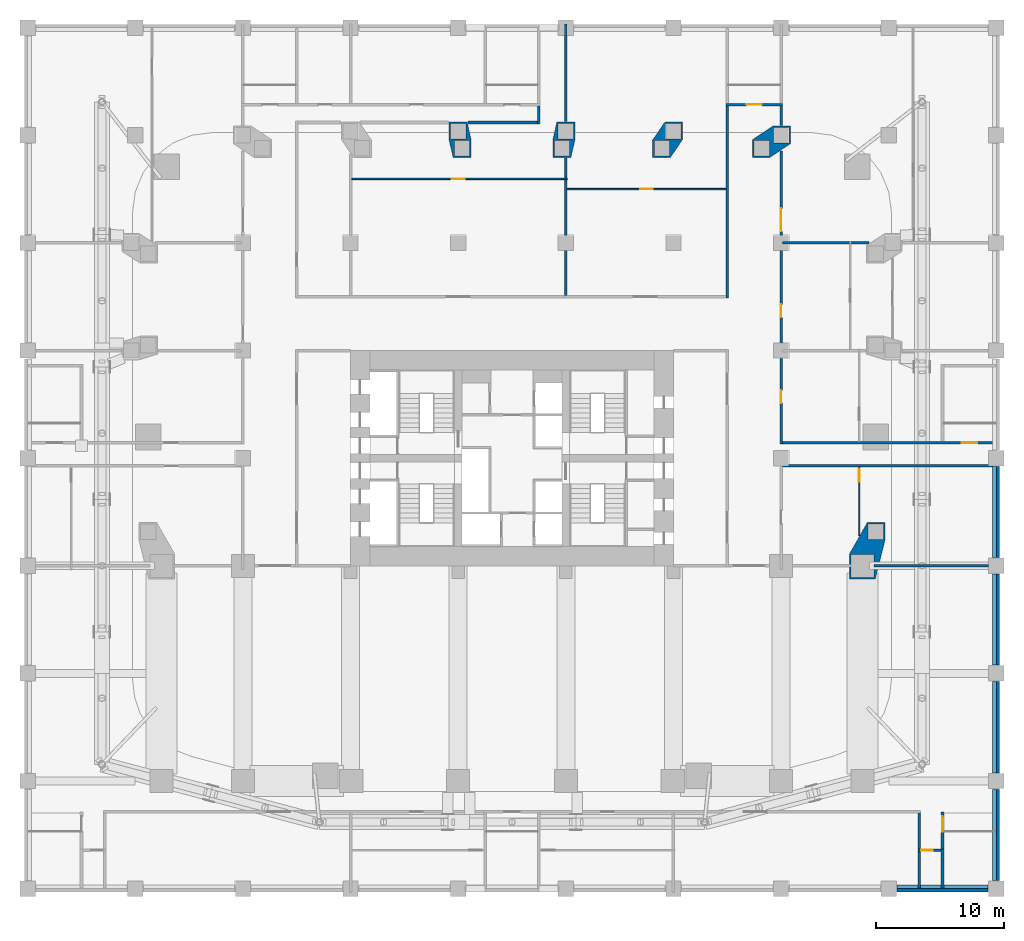
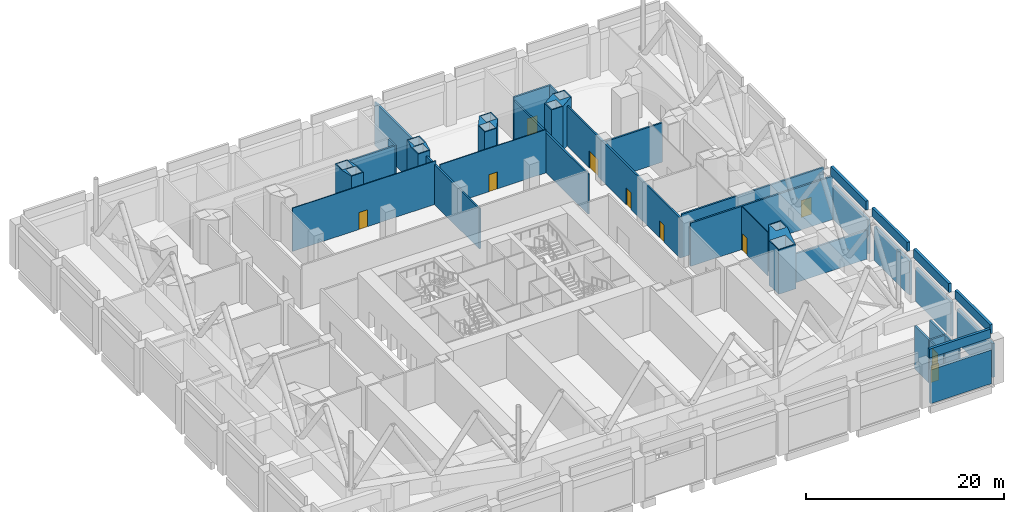
# One storey, part 11 of 17: 35 walls, 10 doors, 10 openings.
"""IFC4 building model written with IfcOpenShell, lengths in metres."""

from ifc_helpers import new_model, si_unit, direction, frame, frame_2d, origin, place, context, subcontext, project, spatial, polyline, rectangle, outline, extrude, material, layer, layer_set, type_object, element, fill, save


model = new_model("IFC4")

# Units and contexts
model_context = context("Model", 3, precision=1e-05, world=origin(), true_north=direction((0.0, 1.0)))
body_context = subcontext(model_context, "Body", "Model", "MODEL_VIEW")
ifc_project = project(units=[si_unit("LENGTHUNIT", "METRE"), si_unit("AREAUNIT", "SQUARE_METRE"), si_unit("VOLUMEUNIT", "CUBIC_METRE"), si_unit("PLANEANGLEUNIT", "RADIAN"), si_unit("MASSUNIT", "GRAM", prefix="KILO")], contexts=[model_context])

# Site, building, storey
site_placement = place(None, origin())
site = spatial("IfcSite", under=ifc_project, at=site_placement, CompositionType="ELEMENT")
building_placement = place(site_placement, origin())
building = spatial("IfcBuilding", under=site, at=building_placement, Name="Marenta Gate Hotel Tower", CompositionType="ELEMENT")
storey_placement = place(building_placement, frame((0.0, 0.0, 31.0)))
storey = spatial("IfcBuildingStorey", under=building, at=storey_placement, Name="L05", CompositionType="ELEMENT", Elevation=31.0)

# Walls
ifc_material_1 = material(Name="Concrete C40 board-marked", Category="concrete")
ifc_layer_1 = layer(ifc_material_1, 0.300048828125)
ifc_layer_set_1 = layer_set([ifc_layer_1], Name="Concrete C40 board-marked")
wall_type_1 = type_object("IfcWallType", Name="Board-marked concrete wall 300 mm", PredefinedType="NOTDEFINED", material=ifc_layer_set_1)
wall_1_placement = place(storey_placement, frame((30.0400390625, -25.2900390625, 0.0), z_axis=(0.0, 0.0, 1.0), x_axis=(1.0, 0.0, 0.0)))
element("IfcWall", 1, at=wall_1_placement, inside=storey, type_object=wall_type_1, Name="L05-CLD-P-S008", PredefinedType="NOTDEFINED", context=body_context, shape_type="SweptSolid", body=[
    extrude(rectangle(XDim=7.119873046875, YDim=0.300048828125, at=frame_2d((3.56005859375, 0.0))), origin(), (0.0, 0.0, 1.0), 4.179931640625),
])
wall_2_placement = place(storey_placement, frame((37.889892578125, -24.56005859375, 0.0), z_axis=(0.0, 0.0, 1.0), x_axis=(0.0, 1.0, 0.0)))
element("IfcWall", 2, at=wall_2_placement, inside=storey, type_object=wall_type_1, Name="L05-CLD-P-E000", PredefinedType="NOTDEFINED", context=body_context, shape_type="SweptSolid", body=[
    extrude(rectangle(XDim=7.1201171875, YDim=0.300048828125, at=frame_2d((3.56005859375, 0.0))), origin(), (0.0, 0.0, 1.0), 4.179931640625),
])
wall_3_placement = place(storey_placement, frame((37.889892578125, -16.159912109375, 0.0), z_axis=(0.0, 0.0, 1.0), x_axis=(0.0, 1.0, 0.0)))
element("IfcWall", 3, at=wall_3_placement, inside=storey, type_object=wall_type_1, Name="L05-CLD-P-E001", PredefinedType="NOTDEFINED", context=body_context, shape_type="SweptSolid", body=[
    extrude(rectangle(XDim=7.119873046875, YDim=0.300048828125, at=frame_2d((3.56005859375, 0.0))), origin(), (0.0, 0.0, 1.0), 4.179931640625),
])
for number, where, z_axis, x_axis, name in (
    (4, (37.889892578125, -7.760009765625, 0.0), (0.0, 0.0, 1.0), (0.0, 1.0, 0.0), "L05-CLD-P-E002"),
    (5, (37.889892578125, 0.639892578125, 0.0), (0.0, 0.0, 1.0), (0.0, 1.0, 0.0), "L05-CLD-P-E003"),
):
    element("IfcWall", number, at=place(storey_placement, frame(where, z_axis=z_axis, x_axis=x_axis)), inside=storey, type_object=wall_type_1, Name=name, PredefinedType="NOTDEFINED", context=body_context, shape_type="SweptSolid", body=[
        extrude(rectangle(XDim=7.1201171875, YDim=0.300048828125, at=frame_2d((3.56005859375, 0.0))), origin(), (0.0, 0.0, 1.0), 4.179931640625),
    ])
ifc_material_2 = material(Name="Concrete blockwork", Category="masonry")
ifc_layer_2 = layer(ifc_material_2, 0.199951171875)
ifc_layer_set_2 = layer_set([ifc_layer_2], Name="Concrete blockwork")
wall_type_2 = type_object("IfcWallType", Name="Compartment wall 200 REI 180", PredefinedType="PARTITIONING", material=ifc_layer_set_2)
wall_4_placement = place(storey_placement, frame((28.263916015625, 0.0, 0.0), z_axis=(0.0, 0.0, 1.0), x_axis=(1.0, 0.0, 0.0)))
element("IfcWall", 6, at=wall_4_placement, inside=storey, type_object=wall_type_2, Name="L05-CMP-W06", PredefinedType="PARTITIONING", context=body_context, shape_type="SweptSolid", body=[
    extrude(rectangle(XDim=8.93505859375, YDim=0.199951171875, at=frame_2d((4.467529296875, 0.0))), origin(), (0.0, 0.0, 1.0), 3.580078125),
])
ifc_material_3 = material(Name="Concrete C40 board-marked", Category="concrete")
ifc_layer_3 = layer(ifc_material_3, 0.300048828125)
ifc_layer_set_3 = layer_set([ifc_layer_3], Name="Concrete C40 board-marked")
wall_type_3 = type_object("IfcWallType", Name="Parapet 300 mm board-marked concrete", PredefinedType="PARAPET", material=ifc_layer_set_3)
for number, where, z_axis, x_axis, name in (
    (7, (37.64990234375, 7.760009765625, 5.5), (0.0, 0.0, 1.0), (0.0, -1.0, 0.0), "L05-PAR-00024"),
    (8, (37.64990234375, -0.639892578125, 5.5), (0.0, 0.0, 1.0), (0.0, -1.0, 0.0), "L05-PAR-00025"),
):
    element("IfcWall", number, at=place(storey_placement, frame(where, z_axis=z_axis, x_axis=x_axis)), inside=storey, type_object=wall_type_3, Name=name, PredefinedType="PARAPET", context=body_context, shape_type="SweptSolid", body=[
        extrude(rectangle(XDim=7.1201171875, YDim=0.300048828125, at=frame_2d((3.56005859375, 0.0))), origin(), (0.0, 0.0, 1.0), 1.10009765625),
    ])
wall_5_placement = place(storey_placement, frame((37.64990234375, -9.0400390625, 5.5), z_axis=(0.0, 0.0, 1.0), x_axis=(0.0, -1.0, 0.0)))
element("IfcWall", 9, at=wall_5_placement, inside=storey, type_object=wall_type_3, Name="L05-PAR-00026", PredefinedType="PARAPET", context=body_context, shape_type="SweptSolid", body=[
    extrude(rectangle(XDim=7.119873046875, YDim=0.300048828125, at=frame_2d((3.56005859375, 0.0))), origin(), (0.0, 0.0, 1.0), 1.10009765625),
])
wall_6_placement = place(storey_placement, frame((37.64990234375, -17.43994140625, 5.5), z_axis=(0.0, 0.0, 1.0), x_axis=(0.0, -1.0, 0.0)))
element("IfcWall", 10, at=wall_6_placement, inside=storey, type_object=wall_type_3, Name="L05-PAR-00027", PredefinedType="PARAPET", context=body_context, shape_type="SweptSolid", body=[
    extrude(rectangle(XDim=7.1201171875, YDim=0.300048828125, at=frame_2d((3.56005859375, 0.0))), origin(), (0.0, 0.0, 1.0), 1.10009765625),
])
wall_7_placement = place(storey_placement, frame((37.159912109375, -25.050048828125, 5.5), z_axis=(0.0, 0.0, 1.0), x_axis=(-1.0, 0.0, 0.0)))
element("IfcWall", 11, at=wall_7_placement, inside=storey, type_object=wall_type_3, Name="L05-PAR-00030", PredefinedType="PARAPET", context=body_context, shape_type="SweptSolid", body=[
    extrude(rectangle(XDim=7.119873046875, YDim=0.300048828125, at=frame_2d((3.56005859375, 0.0))), origin(), (0.0, 0.0, 1.0), 1.10009765625),
])
ifc_material_4 = material(Name="Concrete C70", Category="concrete")
ifc_layer_4 = layer(ifc_material_4, 1.60009765625)
ifc_layer_set_4 = layer_set([ifc_layer_4], Name="Concrete C70")
wall_type_4 = type_object("IfcWallType", Name="Pier wall board-marked concrete C70", PredefinedType="SOLIDWALL", material=ifc_layer_set_4)
wall_8_placement = place(storey_placement, origin())
element("IfcWall", 12, at=wall_8_placement, inside=storey, type_object=wall_type_4, Name="L05-PIER-6", PredefinedType="SOLIDWALL", context=body_context, shape_type="SweptSolid", body=[
    extrude(outline(polyline([(-4.919921875, 34.639892578125), (-3.504150390625, 34.639892578125), (-3.181396484375, 33.21337890625), (-3.181396484375, 31.8798828125), (-4.59716796875, 31.8798828125), (-4.919921875, 33.306640625), (-4.919921875, 34.639892578125)]), holes=[polyline([(-3.301513671875, 32.0), (-3.301513671875, 33.199951171875), (-4.50146484375, 33.199951171875), (-4.50146484375, 32.0), (-3.301513671875, 32.0)]), polyline([(-3.60009765625, 33.320068359375), (-3.60009765625, 34.52001953125), (-4.800048828125, 34.52001953125), (-4.800048828125, 33.320068359375), (-3.60009765625, 33.320068359375)])]), origin(), (0.0, 0.0, 1.0), 5.5),
])
wall_9_placement = place(storey_placement, origin())
element("IfcWall", 13, at=wall_9_placement, inside=storey, type_object=wall_type_4, Name="L05-PIER-7", PredefinedType="SOLIDWALL", context=body_context, shape_type="SweptSolid", body=[
    extrude(outline(polyline([(3.181396484375, 33.21337890625), (3.504150390625, 34.639892578125), (4.919921875, 34.639892578125), (4.919921875, 33.306640625), (4.59716796875, 31.8798828125), (3.181396484375, 31.8798828125), (3.181396484375, 33.21337890625)]), holes=[polyline([(3.60009765625, 33.320068359375), (4.800048828125, 33.320068359375), (4.800048828125, 34.52001953125), (3.60009765625, 34.52001953125), (3.60009765625, 33.320068359375)]), polyline([(3.301513671875, 32.0), (4.50146484375, 32.0), (4.50146484375, 33.199951171875), (3.301513671875, 33.199951171875), (3.301513671875, 32.0)])]), origin(), (0.0, 0.0, 1.0), 5.5),
])
wall_10_placement = place(storey_placement, origin())
element("IfcWall", 14, at=wall_10_placement, inside=storey, type_object=wall_type_4, Name="L05-PIER-8", PredefinedType="SOLIDWALL", context=body_context, shape_type="SweptSolid", body=[
    extrude(outline(polyline([(11.9365234375, 34.639892578125), (13.320068359375, 34.639892578125), (13.320068359375, 33.283203125), (12.36767578125, 31.8798828125), (10.984130859375, 31.8798828125), (10.984130859375, 33.23681640625), (11.9365234375, 34.639892578125)]), holes=[polyline([(13.199951171875, 33.320068359375), (13.199951171875, 34.52001953125), (12.0, 34.52001953125), (12.0, 33.320068359375), (13.199951171875, 33.320068359375)]), polyline([(12.30419921875, 32.0), (12.30419921875, 33.199951171875), (11.10400390625, 33.199951171875), (11.10400390625, 32.0), (12.30419921875, 32.0)])]), origin(), (0.0, 0.0, 1.0), 5.5),
])
wall_11_placement = place(storey_placement, origin())
element("IfcWall", 15, at=wall_11_placement, inside=storey, type_object=wall_type_4, Name="L05-PIER-9", PredefinedType="SOLIDWALL", context=body_context, shape_type="SweptSolid", body=[
    extrude(outline(polyline([(20.363525390625, 34.320068359375), (21.719970703125, 34.320068359375), (21.719970703125, 32.93603515625), (20.143310546875, 31.8798828125), (18.786865234375, 31.8798828125), (18.786865234375, 33.26416015625), (20.363525390625, 34.320068359375)]), holes=[polyline([(21.60009765625, 33.0), (21.60009765625, 34.199951171875), (20.39990234375, 34.199951171875), (20.39990234375, 33.0), (21.60009765625, 33.0)]), polyline([(20.10693359375, 32.0), (20.10693359375, 33.199951171875), (18.906982421875, 33.199951171875), (18.906982421875, 32.0), (20.10693359375, 32.0)])]), origin(), (0.0, 0.0, 1.0), 5.5),
])
wall_12_placement = place(storey_placement, origin())
element("IfcWall", 16, at=wall_12_placement, inside=storey, type_object=wall_type_4, Name="L05-PIER-12", PredefinedType="SOLIDWALL", context=body_context, shape_type="SweptSolid", body=[
    extrude(outline(polyline([(26.343017578125, 0.931640625), (27.730224609375, 3.369140625), (29.1201171875, 3.369140625), (29.1201171875, 2.034423828125), (28.356689453125, -1.02001953125), (26.343017578125, -1.02001953125), (26.343017578125, 0.931640625)]), holes=[polyline([(27.800048828125, 2.049072265625), (29.0, 2.049072265625), (29.0, 3.2490234375), (27.800048828125, 3.2490234375), (27.800048828125, 2.049072265625)]), polyline([(26.462890625, -0.89990234375), (28.262939453125, -0.89990234375), (28.262939453125, 0.89990234375), (26.462890625, 0.89990234375), (26.462890625, -0.89990234375)])]), origin(), (0.0, 0.0, 1.0), 5.5),
])

# Wall, openings, doors
ifc_material_5 = material(Name="Concrete blockwork", Category="masonry")
ifc_layer_5 = layer(ifc_material_5, 0.199951171875)
ifc_layer_set_5 = layer_set([ifc_layer_5], Name="Concrete blockwork")
wall_type_5 = type_object("IfcWallType", Name="Room corridor wall 200 EI 120", PredefinedType="PARTITIONING", material=ifc_layer_set_5)
wall_13_placement = place(storey_placement, frame((21.0, 9.5, 0.0), z_axis=(0.0, 0.0, 1.0), x_axis=(0.0, 1.0, 0.0)))
wall_13 = element("IfcWall", 17, at=wall_13_placement, inside=storey, type_object=wall_type_5, Name="L05-PTN-W016", PredefinedType="PARTITIONING", context=body_context, shape_type="SweptSolid", body=[
    extrude(rectangle(XDim=22.89404296875, YDim=0.199951171875, at=frame_2d((11.447021484375, 0.0))), origin(), (0.0, 0.0, 1.0), 4.949951171875),
])
opening_1_placement = place(wall_13_placement, frame((3.199951171875, 0.0, 0.0)))
opening_1 = element("IfcOpeningElement", 18, at=opening_1_placement, cuts=wall_13, Name="Opening S06-10", PredefinedType="OPENING", context=body_context, shape_type="SweptSolid", body=[
    extrude(rectangle(XDim=1.0, YDim=2.10009765625, at=frame_2d((0.5, 1.050048828125))), frame((0.0, 0.10009765625, 0.0), z_axis=(0.0, -1.0, 0.0), x_axis=(1.0, 0.0, 0.0)), (0.0, 0.0, 1.0), 0.199951171875),
])
opening_2_placement = place(wall_13_placement, frame((9.89990234375, 0.0, 0.0)))
opening_2 = element("IfcOpeningElement", 19, at=opening_2_placement, cuts=wall_13, Name="Opening S06-13", PredefinedType="OPENING", context=body_context, shape_type="SweptSolid", body=[
    extrude(rectangle(XDim=1.0, YDim=2.10009765625, at=frame_2d((0.5, 1.050048828125))), frame((0.0, 0.10009765625, 0.0), z_axis=(0.0, -1.0, 0.0), x_axis=(1.0, 0.0, 0.0)), (0.0, 0.0, 1.0), 0.199951171875),
])
opening_3_placement = place(wall_13_placement, frame((16.596923828125, 0.0, 0.0)))
opening_3 = element("IfcOpeningElement", 20, at=opening_3_placement, cuts=wall_13, Name="Opening S06-16", PredefinedType="OPENING", context=body_context, shape_type="SweptSolid", body=[
    extrude(rectangle(XDim=1.800048828125, YDim=2.10009765625, at=frame_2d((0.89990234375, 1.050048828125))), frame((0.0, 0.10009765625, 0.0), z_axis=(0.0, -1.0, 0.0), x_axis=(1.0, 0.0, 0.0)), (0.0, 0.0, 1.0), 0.199951171875),
])
ifc_material_6 = material(Name="Hollow steel door set", Category="steel")
door_type_1 = type_object("IfcDoorType", Name="Plant room door 1800x2100 EI 60", OperationType="DOUBLE_DOOR_SINGLE_SWING", PredefinedType="DOOR", material=ifc_material_6)
door_1_placement = place(opening_3_placement, origin())
door_1 = element("IfcDoor", 21, at=door_1_placement, inside=storey, type_object=door_type_1, Name="L05-PD-D016", OperationType="DOUBLE_DOOR_SINGLE_SWING", OverallHeight=2.10009765625, OverallWidth=1.800048828125, PredefinedType="DOOR", context=body_context, shape_type="SweptSolid", body=[
    extrude(rectangle(XDim=1.800048828125, YDim=2.10009765625, at=frame_2d((0.89990234375, 1.050048828125))), frame((0.0, 0.02490234375, 0.0), z_axis=(0.0, -1.0, 0.0), x_axis=(1.0, 0.0, 0.0)), (0.0, 0.0, 1.0), 0.050048828125),
])
fill(opening_3, door_1)
ifc_material_7 = material(Name="Hollow steel door set", Category="steel")
door_type_2 = type_object("IfcDoorType", Name="Room service door 1000x2100 EI 60", OperationType="NOTDEFINED", PredefinedType="DOOR", material=ifc_material_7)
door_2_placement = place(opening_1_placement, origin())
door_2 = element("IfcDoor", 22, at=door_2_placement, inside=storey, type_object=door_type_2, Name="L05-PD-D010", OperationType="SINGLE_SWING_LEFT", OverallHeight=2.10009765625, OverallWidth=1.0, PredefinedType="DOOR", context=body_context, shape_type="SweptSolid", body=[
    extrude(rectangle(XDim=1.0, YDim=2.10009765625, at=frame_2d((0.5, 1.050048828125))), frame((0.0, 0.02490234375, 0.0), z_axis=(0.0, -1.0, 0.0), x_axis=(1.0, 0.0, 0.0)), (0.0, 0.0, 1.0), 0.050048828125),
])
fill(opening_1, door_2)
ifc_material_8 = material(Name="Timber door leaf", Category="wood")
door_type_3 = type_object("IfcDoorType", Name="Toilet room door 1000x2100 EI 60", OperationType="NOTDEFINED", PredefinedType="DOOR", material=ifc_material_8)
door_3_placement = place(opening_2_placement, origin())
door_3 = element("IfcDoor", 23, at=door_3_placement, inside=storey, type_object=door_type_3, Name="L05-PD-D013", OperationType="SINGLE_SWING_RIGHT", OverallHeight=2.10009765625, OverallWidth=1.0, PredefinedType="DOOR", context=body_context, shape_type="SweptSolid", body=[
    extrude(rectangle(XDim=1.0, YDim=2.10009765625, at=frame_2d((0.5, 1.050048828125))), frame((0.0, 0.02490234375, 0.0), z_axis=(0.0, -1.0, 0.0), x_axis=(1.0, 0.0, 0.0)), (0.0, 0.0, 1.0), 0.050048828125),
])
fill(opening_2, door_3)

# Wall
ifc_material_9 = material(Name="Gypsum board on steel stud", Category="steel")
ifc_layer_6 = layer(ifc_material_9, 0.199951171875)
ifc_layer_set_6 = layer_set([ifc_layer_6], Name="Gypsum board on steel stud")
wall_type_6 = type_object("IfcWallType", Name="Room corridor wall 200 EI 60", PredefinedType="PARTITIONING", material=ifc_layer_set_6)
wall_14_placement = place(storey_placement, frame((21.0, 34.3701171875, 0.0), z_axis=(0.0, 0.0, 1.0), x_axis=(0.0, 1.0, 0.0)))
element("IfcWall", 24, at=wall_14_placement, inside=storey, type_object=wall_type_6, Name="L05-PTN-W017", PredefinedType="PARTITIONING", context=body_context, shape_type="SweptSolid", body=[
    extrude(rectangle(XDim=1.52978515625, YDim=0.199951171875, at=frame_2d((0.764892578125, 0.0))), origin(), (0.0, 0.0, 1.0), 5.35009765625),
])

# Wall, opening, door
ifc_material_10 = material(Name="Concrete blockwork", Category="masonry")
ifc_layer_7 = layer(ifc_material_10, 0.199951171875)
ifc_layer_set_7 = layer_set([ifc_layer_7], Name="Concrete blockwork")
wall_type_7 = type_object("IfcWallType", Name="Room corridor wall 200 REI 180", PredefinedType="PARTITIONING", material=ifc_layer_set_7)
wall_15_placement = place(storey_placement, frame((33.60009765625, -22.300048828125, 0.0), z_axis=(0.0, 0.0, 1.0), x_axis=(0.0, 1.0, 0.0)))
wall_15 = element("IfcWall", 25, at=wall_15_placement, inside=storey, type_object=wall_type_7, Name="L05-PTN-W003", PredefinedType="PARTITIONING", context=body_context, shape_type="SweptSolid", body=[
    extrude(rectangle(XDim=3.10009765625, YDim=0.199951171875, at=frame_2d((1.550048828125, 0.0))), origin(), (0.0, 0.0, 1.0), 5.35009765625),
])
opening_4_placement = place(wall_15_placement, frame((1.550048828125, 0.0, 0.0)))
opening_4 = element("IfcOpeningElement", 26, at=opening_4_placement, cuts=wall_15, Name="Opening S06-27", PredefinedType="OPENING", context=body_context, shape_type="SweptSolid", body=[
    extrude(rectangle(XDim=1.199951171875, YDim=2.10009765625, at=frame_2d((0.60009765625, 1.050048828125))), frame((0.0, 0.10009765625, 0.0), z_axis=(0.0, -1.0, 0.0), x_axis=(1.0, 0.0, 0.0)), (0.0, 0.0, 1.0), 0.199951171875),
])
ifc_material_11 = material(Name="Hollow steel door set", Category="steel")
door_type_4 = type_object("IfcDoorType", Name="Podium stair door 1200x2100 EI 60", OperationType="NOTDEFINED", PredefinedType="DOOR", material=ifc_material_11)
door_4_placement = place(opening_4_placement, origin())
door_4 = element("IfcDoor", 27, at=door_4_placement, inside=storey, type_object=door_type_4, Name="L05-PD-D027", OperationType="SINGLE_SWING_LEFT", OverallHeight=2.10009765625, OverallWidth=1.199951171875, PredefinedType="DOOR", context=body_context, shape_type="SweptSolid", body=[
    extrude(rectangle(XDim=1.199951171875, YDim=2.10009765625, at=frame_2d((0.60009765625, 1.050048828125))), frame((0.0, 0.02490234375, 0.0), z_axis=(0.0, -1.0, 0.0), x_axis=(1.0, 0.0, 0.0)), (0.0, 0.0, 1.0), 0.050048828125),
])
fill(opening_4, door_4)

# Wall
wall_16_placement = place(storey_placement, frame((31.800048828125, -22.10009765625, 0.0), z_axis=(0.0, 0.0, 1.0), x_axis=(0.0, 1.0, 0.0)))
element("IfcWall", 28, at=wall_16_placement, inside=storey, type_object=wall_type_7, Name="L05-PTN-W005", PredefinedType="PARTITIONING", context=body_context, shape_type="SweptSolid", body=[
    extrude(rectangle(XDim=2.800048828125, YDim=0.199951171875, at=frame_2d((1.39990234375, 0.0))), origin(), (0.0, 0.0, 1.0), 5.35009765625),
])

# Wall, opening, door
wall_17_placement = place(storey_placement, frame((31.699951171875, -22.199951171875, 0.0), z_axis=(0.0, 0.0, 1.0), x_axis=(1.0, 0.0, 0.0)))
wall_17 = element("IfcWall", 29, at=wall_17_placement, inside=storey, type_object=wall_type_7, Name="L05-PTN-W012", PredefinedType="PARTITIONING", context=body_context, shape_type="SweptSolid", body=[
    extrude(rectangle(XDim=1.800048828125, YDim=0.199951171875, at=frame_2d((0.89990234375, 0.0))), origin(), (0.0, 0.0, 1.0), 5.35009765625),
])
opening_5_placement = place(wall_17_placement, frame((0.25, 0.0, 0.0)))
opening_5 = element("IfcOpeningElement", 30, at=opening_5_placement, cuts=wall_17, Name="Opening S06-28", PredefinedType="OPENING", context=body_context, shape_type="SweptSolid", body=[
    extrude(rectangle(XDim=0.89990234375, YDim=2.10009765625, at=frame_2d((0.449951171875, 1.050048828125))), frame((0.0, 0.10009765625, 0.0), z_axis=(0.0, -1.0, 0.0), x_axis=(1.0, 0.0, 0.0)), (0.0, 0.0, 1.0), 0.199951171875),
])
ifc_material_12 = material(Name="Hollow steel door set", Category="steel")
door_type_5 = type_object("IfcDoorType", Name="Room service door 900x2100 EI 60", OperationType="NOTDEFINED", PredefinedType="DOOR", material=ifc_material_12)
door_5_placement = place(opening_5_placement, origin())
door_5 = element("IfcDoor", 31, at=door_5_placement, inside=storey, type_object=door_type_5, Name="L05-PD-D028", OperationType="SINGLE_SWING_RIGHT", OverallHeight=2.10009765625, OverallWidth=0.89990234375, PredefinedType="DOOR", context=body_context, shape_type="SweptSolid", body=[
    extrude(rectangle(XDim=0.89990234375, YDim=2.10009765625, at=frame_2d((0.449951171875, 1.050048828125))), frame((0.0, 0.02490234375, 0.0), z_axis=(0.0, -1.0, 0.0), x_axis=(1.0, 0.0, 0.0)), (0.0, 0.0, 1.0), 0.050048828125),
])
fill(opening_5, door_5)

# Walls
wall_18_placement = place(storey_placement, frame((16.800048828125, 20.89990234375, 0.0), z_axis=(0.0, 0.0, 1.0), x_axis=(0.0, 1.0, 0.0)))
element("IfcWall", 32, at=wall_18_placement, inside=storey, type_object=wall_type_7, Name="L05-PTN-W022", PredefinedType="PARTITIONING", context=body_context, shape_type="SweptSolid", body=[
    extrude(rectangle(XDim=15.0, YDim=0.199951171875, at=frame_2d((7.5, 0.0))), origin(), (0.0, 0.0, 1.0), 4.949951171875),
])
wall_19_placement = place(storey_placement, frame((2.10009765625, 34.5, 0.0), z_axis=(0.0, 0.0, 1.0), x_axis=(0.0, 1.0, 0.0)))
element("IfcWall", 33, at=wall_19_placement, inside=storey, type_object=wall_type_7, Name="L05-PTN-W029", PredefinedType="PARTITIONING", context=body_context, shape_type="SweptSolid", body=[
    extrude(rectangle(XDim=1.39990234375, YDim=0.199951171875, at=frame_2d((0.699951171875, 0.0))), origin(), (0.0, 0.0, 1.0), 5.35009765625),
])
wall_20_placement = place(storey_placement, frame((21.10009765625, 7.800048828125, 0.0), z_axis=(0.0, 0.0, 1.0), x_axis=(1.0, 0.0, 0.0)))
element("IfcWall", 34, at=wall_20_placement, inside=storey, type_object=wall_type_7, Name="L05-PTN-W033", PredefinedType="PARTITIONING", context=body_context, shape_type="SweptSolid", body=[
    extrude(rectangle(XDim=16.639892578125, YDim=0.199951171875, at=frame_2d((8.31982421875, 0.0))), origin(), (0.0, 0.0, 1.0), 5.35009765625),
])

# Wall, opening, door
wall_21_placement = place(storey_placement, frame((21.10009765625, 9.60009765625, 0.0), z_axis=(0.0, 0.0, 1.0), x_axis=(1.0, 0.0, 0.0)))
wall_21 = element("IfcWall", 35, at=wall_21_placement, inside=storey, type_object=wall_type_7, Name="L05-PTN-W035", PredefinedType="PARTITIONING", context=body_context, shape_type="SweptSolid", body=[
    extrude(rectangle(XDim=16.639892578125, YDim=0.199951171875, at=frame_2d((8.31982421875, 0.0))), origin(), (0.0, 0.0, 1.0), 5.35009765625),
])
opening_6_placement = place(wall_21_placement, frame((14.0, 0.0, 0.0)))
opening_6 = element("IfcOpeningElement", 36, at=opening_6_placement, cuts=wall_21, Name="Opening S06-37", PredefinedType="OPENING", context=body_context, shape_type="SweptSolid", body=[
    extrude(rectangle(XDim=1.199951171875, YDim=2.10009765625, at=frame_2d((0.60009765625, 1.050048828125))), frame((0.0, 0.10009765625, 0.0), z_axis=(0.0, -1.0, 0.0), x_axis=(1.0, 0.0, 0.0)), (0.0, 0.0, 1.0), 0.199951171875),
])
door_6_placement = place(opening_6_placement, origin())
door_6 = element("IfcDoor", 37, at=door_6_placement, inside=storey, type_object=door_type_4, Name="L05-PD-D037", OperationType="SINGLE_SWING_LEFT", OverallHeight=2.10009765625, OverallWidth=1.199951171875, PredefinedType="DOOR", context=body_context, shape_type="SweptSolid", body=[
    extrude(rectangle(XDim=1.199951171875, YDim=2.10009765625, at=frame_2d((0.60009765625, 1.050048828125))), frame((0.0, 0.02490234375, 0.0), z_axis=(0.0, -1.0, 0.0), x_axis=(1.0, 0.0, 0.0)), (0.0, 0.0, 1.0), 0.050048828125),
])
fill(opening_6, door_6)

# Wall
wall_22_placement = place(storey_placement, frame((-3.444091796875, 34.60009765625, 0.0), z_axis=(0.0, 0.0, 1.0), x_axis=(1.0, 0.0, 0.0)))
element("IfcWall", 38, at=wall_22_placement, inside=storey, type_object=wall_type_7, Name="L05-PTN-W068", PredefinedType="PARTITIONING", context=body_context, shape_type="SweptSolid", body=[
    extrude(rectangle(XDim=5.444091796875, YDim=0.199951171875, at=frame_2d((2.72216796875, 0.0))), origin(), (0.0, 0.0, 1.0), 5.35009765625),
])

# Wall, opening, door
wall_23_placement = place(storey_placement, frame((16.699951171875, 36.0, 0.0), z_axis=(0.0, 0.0, 1.0), x_axis=(1.0, 0.0, 0.0)))
wall_23 = element("IfcWall", 39, at=wall_23_placement, inside=storey, type_object=wall_type_7, Name="L05-PTN-W070", PredefinedType="PARTITIONING", context=body_context, shape_type="SweptSolid", body=[
    extrude(rectangle(XDim=4.400146484375, YDim=0.199951171875, at=frame_2d((2.2001953125, 0.0))), origin(), (0.0, 0.0, 1.0), 5.35009765625),
])
opening_7_placement = place(wall_23_placement, frame((1.60009765625, 0.0, 0.0)))
opening_7 = element("IfcOpeningElement", 40, at=opening_7_placement, cuts=wall_23, Name="Opening S06-02", PredefinedType="OPENING", context=body_context, shape_type="SweptSolid", body=[
    extrude(rectangle(XDim=1.199951171875, YDim=2.10009765625, at=frame_2d((0.60009765625, 1.050048828125))), frame((0.0, 0.10009765625, 0.0), z_axis=(0.0, -1.0, 0.0), x_axis=(1.0, 0.0, 0.0)), (0.0, 0.0, 1.0), 0.199951171875),
])
door_7_placement = place(opening_7_placement, origin())
door_7 = element("IfcDoor", 41, at=door_7_placement, inside=storey, type_object=door_type_4, Name="L05-PD-D002", OperationType="SINGLE_SWING_LEFT", OverallHeight=2.10009765625, OverallWidth=1.199951171875, PredefinedType="DOOR", context=body_context, shape_type="SweptSolid", body=[
    extrude(rectangle(XDim=1.199951171875, YDim=2.10009765625, at=frame_2d((0.60009765625, 1.050048828125))), frame((0.0, 0.02490234375, 0.0), z_axis=(0.0, -1.0, 0.0), x_axis=(1.0, 0.0, 0.0)), (0.0, 0.0, 1.0), 0.050048828125),
])
fill(opening_7, door_7)

ifc_material_13 = material(Name="Gypsum board on steel stud", Category="steel")
ifc_layer_8 = layer(ifc_material_13, 0.10009765625)
ifc_layer_set_8 = layer_set([ifc_layer_8], Name="Gypsum board on steel stud")
wall_type_8 = type_object("IfcWallType", Name="Room partition 100", PredefinedType="PARTITIONING", material=ifc_layer_set_8)
wall_24_placement = place(storey_placement, frame((27.10009765625, 2.363037109375, 0.0), z_axis=(0.0, 0.0, 1.0), x_axis=(0.0, 1.0, 0.0)))
wall_24 = element("IfcWall", 42, at=wall_24_placement, inside=storey, type_object=wall_type_8, Name="L05-PTN-W008", PredefinedType="PARTITIONING", context=body_context, shape_type="SweptSolid", body=[
    extrude(rectangle(XDim=5.3369140625, YDim=0.10009765625, at=frame_2d((2.66845703125, 0.0))), origin(), (0.0, 0.0, 1.0), 5.35009765625),
])
opening_8_placement = place(wall_24_placement, frame((4.18701171875, 0.0, 0.0)))
opening_8 = element("IfcOpeningElement", 43, at=opening_8_placement, cuts=wall_24, Name="Opening S06-12", PredefinedType="OPENING", context=body_context, shape_type="SweptSolid", body=[
    extrude(rectangle(XDim=1.0, YDim=2.10009765625, at=frame_2d((0.5, 1.050048828125))), frame((0.0, 0.050048828125, 0.0), z_axis=(0.0, -1.0, 0.0), x_axis=(1.0, 0.0, 0.0)), (0.0, 0.0, 1.0), 0.10009765625),
])
ifc_material_14 = material(Name="Hollow steel door set", Category="steel")
door_type_6 = type_object("IfcDoorType", Name="Room service door 1000x2100", OperationType="NOTDEFINED", PredefinedType="DOOR", material=ifc_material_14)
door_8_placement = place(opening_8_placement, origin())
door_8 = element("IfcDoor", 44, at=door_8_placement, inside=storey, type_object=door_type_6, Name="L05-PD-D012", OperationType="SINGLE_SWING_LEFT", OverallHeight=2.10009765625, OverallWidth=1.0, PredefinedType="DOOR", context=body_context, shape_type="SweptSolid", body=[
    extrude(rectangle(XDim=1.0, YDim=2.10009765625, at=frame_2d((0.5, 1.050048828125))), frame((0.0, 0.02490234375, 0.0), z_axis=(0.0, -1.0, 0.0), x_axis=(1.0, 0.0, 0.0)), (0.0, 0.0, 1.0), 0.050048828125),
])
fill(opening_8, door_8)

wall_25_placement = place(storey_placement, frame((4.300048828125, 29.39990234375, 0.0), z_axis=(0.0, 0.0, 1.0), x_axis=(1.0, 0.0, 0.0)))
wall_25 = element("IfcWall", 45, at=wall_25_placement, inside=storey, type_object=wall_type_8, Name="L05-PTN-W058", PredefinedType="PARTITIONING", context=body_context, shape_type="SweptSolid", body=[
    extrude(rectangle(XDim=12.39990234375, YDim=0.10009765625, at=frame_2d((6.199951171875, 0.0))), origin(), (0.0, 0.0, 1.0), 5.35009765625),
])
opening_9_placement = place(wall_25_placement, frame((5.699951171875, 0.0, 0.0)))
opening_9 = element("IfcOpeningElement", 46, at=opening_9_placement, cuts=wall_25, Name="Opening S06-24", PredefinedType="OPENING", context=body_context, shape_type="SweptSolid", body=[
    extrude(rectangle(XDim=1.0, YDim=2.10009765625, at=frame_2d((0.5, 1.050048828125))), frame((0.0, 0.050048828125, 0.0), z_axis=(0.0, -1.0, 0.0), x_axis=(1.0, 0.0, 0.0)), (0.0, 0.0, 1.0), 0.10009765625),
])
ifc_material_15 = material(Name="Hollow steel door set", Category="steel")
door_type_7 = type_object("IfcDoorType", Name="Plant room door 1000x2100", OperationType="NOTDEFINED", PredefinedType="DOOR", material=ifc_material_15)
door_9_placement = place(opening_9_placement, origin())
door_9 = element("IfcDoor", 47, at=door_9_placement, inside=storey, type_object=door_type_7, Name="L05-PD-D024", OperationType="SINGLE_SWING_RIGHT", OverallHeight=2.10009765625, OverallWidth=1.0, PredefinedType="DOOR", context=body_context, shape_type="SweptSolid", body=[
    extrude(rectangle(XDim=1.0, YDim=2.10009765625, at=frame_2d((0.5, 1.050048828125))), frame((0.0, 0.02490234375, 0.0), z_axis=(0.0, -1.0, 0.0), x_axis=(1.0, 0.0, 0.0)), (0.0, 0.0, 1.0), 0.050048828125),
])
fill(opening_9, door_9)

wall_26_placement = place(storey_placement, frame((-12.5, 30.199951171875, 0.0), z_axis=(0.0, 0.0, 1.0), x_axis=(1.0, 0.0, 0.0)))
wall_26 = element("IfcWall", 48, at=wall_26_placement, inside=storey, type_object=wall_type_8, Name="L05-PTN-W059", PredefinedType="PARTITIONING", context=body_context, shape_type="SweptSolid", body=[
    extrude(rectangle(XDim=16.800048828125, YDim=0.10009765625, at=frame_2d((8.39990234375, 0.0))), origin(), (0.0, 0.0, 1.0), 5.35009765625),
])
opening_10_placement = place(wall_26_placement, frame((7.800048828125, 0.0, 0.0)))
opening_10 = element("IfcOpeningElement", 49, at=opening_10_placement, cuts=wall_26, Name="Opening S06-22", PredefinedType="OPENING", context=body_context, shape_type="SweptSolid", body=[
    extrude(rectangle(XDim=1.0, YDim=2.10009765625, at=frame_2d((0.5, 1.050048828125))), frame((0.0, 0.050048828125, 0.0), z_axis=(0.0, -1.0, 0.0), x_axis=(1.0, 0.0, 0.0)), (0.0, 0.0, 1.0), 0.10009765625),
])
door_10_placement = place(opening_10_placement, origin())
door_10 = element("IfcDoor", 50, at=door_10_placement, inside=storey, type_object=door_type_7, Name="L05-PD-D022", OperationType="SINGLE_SWING_LEFT", OverallHeight=2.10009765625, OverallWidth=1.0, PredefinedType="DOOR", context=body_context, shape_type="SweptSolid", body=[
    extrude(rectangle(XDim=1.0, YDim=2.10009765625, at=frame_2d((0.5, 1.050048828125))), frame((0.0, 0.02490234375, 0.0), z_axis=(0.0, -1.0, 0.0), x_axis=(1.0, 0.0, 0.0)), (0.0, 0.0, 1.0), 0.050048828125),
])
fill(opening_10, door_10)

# Walls
ifc_material_16 = material(Name="Gypsum board on steel stud", Category="steel")
ifc_layer_9 = layer(ifc_material_16, 0.199951171875)
ifc_layer_set_9 = layer_set([ifc_layer_9], Name="Gypsum board on steel stud")
wall_type_9 = type_object("IfcWallType", Name="Room party wall 200 EI 60", PredefinedType="PARTITIONING", material=ifc_layer_set_9)
wall_27_placement = place(storey_placement, frame((31.800048828125, -25.139892578125, 0.0), z_axis=(0.0, 0.0, 1.0), x_axis=(0.0, 1.0, 0.0)))
element("IfcWall", 51, at=wall_27_placement, inside=storey, type_object=wall_type_9, Name="L05-PTN-W004", PredefinedType="PARTITIONING", context=body_context, shape_type="SweptSolid", body=[
    extrude(rectangle(XDim=2.83984375, YDim=0.199951171875, at=frame_2d((1.419921875, 0.0))), origin(), (0.0, 0.0, 1.0), 5.35009765625),
])
wall_28_placement = place(storey_placement, frame((21.10009765625, 25.199951171875, 0.0), z_axis=(0.0, 0.0, 1.0), x_axis=(1.0, 0.0, 0.0)))
element("IfcWall", 52, at=wall_28_placement, inside=storey, type_object=wall_type_9, Name="L05-PTN-W055", PredefinedType="PARTITIONING", context=body_context, shape_type="SweptSolid", body=[
    extrude(rectangle(XDim=6.764892578125, YDim=0.199951171875, at=frame_2d((3.38232421875, 0.0))), origin(), (0.0, 0.0, 1.0), 4.85009765625),
])
ifc_material_17 = material(Name="Concrete blockwork", Category="masonry")
ifc_layer_10 = layer(ifc_material_17, 0.199951171875)
ifc_layer_set_10 = layer_set([ifc_layer_10], Name="Concrete blockwork")
wall_type_10 = type_object("IfcWallType", Name="Room party wall 200 REI 180", PredefinedType="PARTITIONING", material=ifc_layer_set_10)
wall_29_placement = place(storey_placement, frame((33.60009765625, -25.139892578125, 0.0), z_axis=(0.0, 0.0, 1.0), x_axis=(0.0, 1.0, 0.0)))
element("IfcWall", 53, at=wall_29_placement, inside=storey, type_object=wall_type_10, Name="L05-PTN-W001", PredefinedType="PARTITIONING", context=body_context, shape_type="SweptSolid", body=[
    extrude(rectangle(XDim=3.039794921875, YDim=0.199951171875, at=frame_2d((1.52001953125, 0.0))), origin(), (0.0, 0.0, 1.0), 5.35009765625),
])
wall_30_placement = place(storey_placement, frame((4.199951171875, 21.10009765625, 0.0), z_axis=(0.0, 0.0, 1.0), x_axis=(0.0, 1.0, 0.0)))
element("IfcWall", 54, at=wall_30_placement, inside=storey, type_object=wall_type_10, Name="L05-PTN-W025", PredefinedType="PARTITIONING", context=body_context, shape_type="SweptSolid", body=[
    extrude(rectangle(XDim=10.72998046875, YDim=0.199951171875, at=frame_2d((5.364990234375, 0.0))), origin(), (0.0, 0.0, 1.0), 4.949951171875),
])
wall_31_placement = place(storey_placement, frame((4.199951171875, 34.68994140625, 0.0), z_axis=(0.0, 0.0, 1.0), x_axis=(0.0, 1.0, 0.0)))
element("IfcWall", 55, at=wall_31_placement, inside=storey, type_object=wall_type_10, Name="L05-PTN-W026", PredefinedType="PARTITIONING", context=body_context, shape_type="SweptSolid", body=[
    extrude(rectangle(XDim=7.610107421875, YDim=0.199951171875, at=frame_2d((3.80517578125, 0.0))), origin(), (0.0, 0.0, 1.0), 5.35009765625),
])

save(model, "model.ifc")
